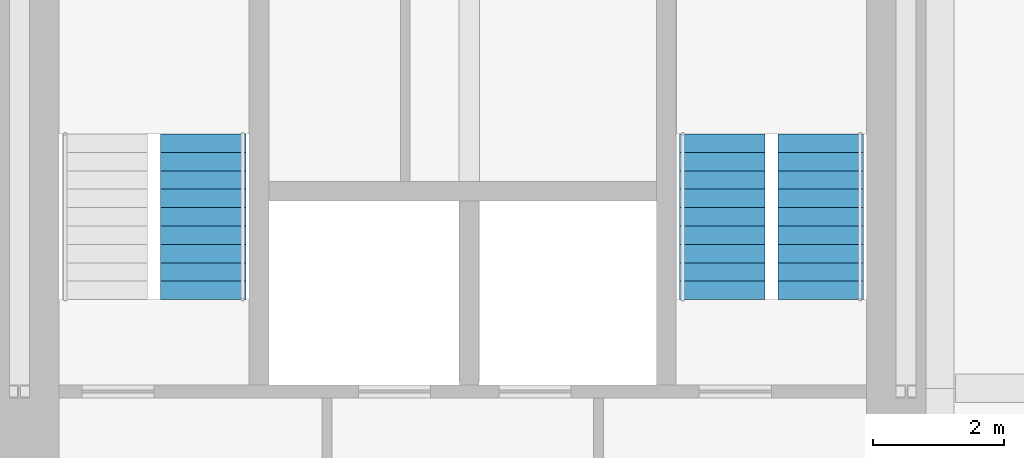
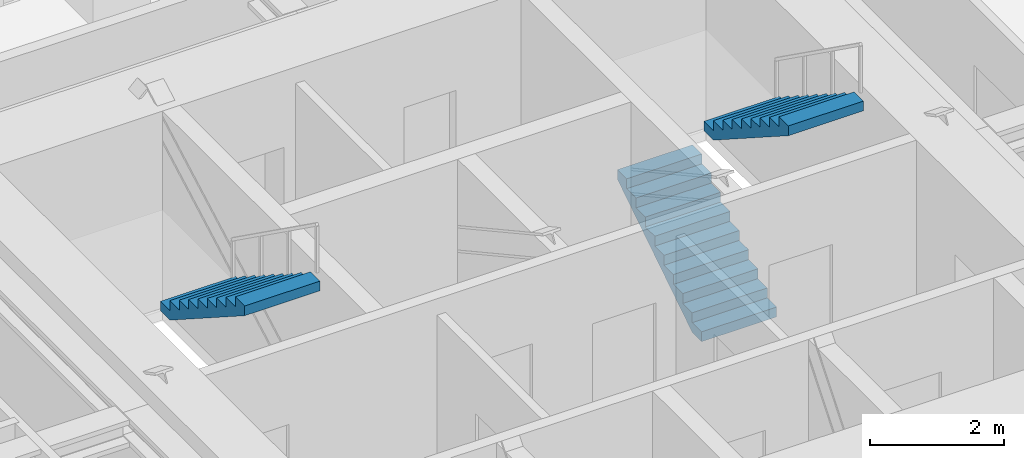
# One storey, part 7 of 8: 3 stair flights, 2 elements without a shape of their own.
"""IFC4 building model written with IfcOpenShell, lengths in metres."""

from ifc_helpers import new_model, si_unit, direction, frame, origin, place, context, subcontext, project, spatial, polyline, outline, extrude, material, type_object, element, aggregate, save


model = new_model("IFC4")

# Units and contexts
model_context = context("Model", 3, precision=1e-05, world=origin(), true_north=direction((0.0, 1.0)))
body_context = subcontext(model_context, "Body", "Model", "MODEL_VIEW")
ifc_project = project(units=[si_unit("LENGTHUNIT", "METRE"), si_unit("AREAUNIT", "SQUARE_METRE"), si_unit("VOLUMEUNIT", "CUBIC_METRE"), si_unit("PLANEANGLEUNIT", "RADIAN"), si_unit("MASSUNIT", "GRAM", prefix="KILO")], contexts=[model_context])

# Site, building, storey
site_placement = place(None, origin())
site = spatial("IfcSite", under=ifc_project, at=site_placement, CompositionType="ELEMENT")
building_placement = place(site_placement, origin())
building = spatial("IfcBuilding", under=site, at=building_placement, Name="Nyansa Garden Tower", CompositionType="ELEMENT")
storey_placement = place(building_placement, frame((0.0, 0.0, 251.10009765625)))
storey = spatial("IfcBuildingStorey", under=building, at=storey_placement, Name="L68", CompositionType="ELEMENT", Elevation=251.10009765625)

# Stair, stair flight
ifc_material_1 = material(Name="Precast concrete C40/50", Category="concrete")
stair_type_1 = type_object("IfcStairType", Name="Stair S1 180x280", PredefinedType="HALF_TURN_STAIR", material=ifc_material_1)
stair_1_placement = place(storey_placement, origin())
stair_1 = element("IfcStair", 1, at=stair_1_placement, inside=storey, type_object=stair_type_1, Name="Stair S1 L68", PredefinedType="HALF_TURN_STAIR")
ifc_material_2 = material(Name="Precast concrete C40/50", Category="concrete")
stair_flight_type_1 = type_object("IfcStairFlightType", Name="Stair flight S1 180x280x10", PredefinedType="STRAIGHT", material=ifc_material_2)
stair_flight_1_placement = place(storey_placement, frame((16.300048828125, 24.1201171875, 1.7998046875), z_axis=(0.0, 0.0, 1.0), x_axis=(0.0, -1.0, 0.0)))
stair_flight_1 = element("IfcStairFlight", 2, at=stair_flight_1_placement, type_object=stair_flight_type_1, Name="S1 flight 2", NumberOfRisers=10, NumberOfTreads=9, PredefinedType="STRAIGHT", RiserHeight=0.18, TreadLength=0.28, context=body_context, shape_type="SweptSolid", body=[
    extrude(outline(polyline([(0.0, 0.0), (0.0, 0.179931640625), (0.280029296875, 0.179931640625), (0.280029296875, 0.360107421875), (0.56005859375, 0.360107421875), (0.56005859375, 0.5400390625), (0.840087890625, 0.5400390625), (0.840087890625, 0.719970703125), (1.1201171875, 0.719970703125), (1.1201171875, 0.89990234375), (1.39990234375, 0.89990234375), (1.39990234375, 1.080078125), (1.679931640625, 1.080078125), (1.679931640625, 1.260009765625), (1.9599609375, 1.260009765625), (1.9599609375, 1.43994140625), (2.239990234375, 1.43994140625), (2.239990234375, 1.6201171875), (2.52001953125, 1.6201171875), (2.52001953125, 1.800048828125), (2.52001953125, 1.44189453125), (0.277099609375, 0.0), (0.0, 0.0)])), frame((0.0, 0.64990234375, 0.0), z_axis=(0.0, -1.0, 0.0), x_axis=(1.0, 0.0, 0.0)), (0.0, 0.0, 1.0), 1.300048828125),
])
aggregate(stair_1, [stair_flight_1])

# Stair, stair flights
ifc_material_3 = material(Name="Precast concrete C40/50", Category="concrete")
stair_type_2 = type_object("IfcStairType", Name="Stair S2 180x280", PredefinedType="HALF_TURN_STAIR", material=ifc_material_3)
stair_2_placement = place(storey_placement, origin())
stair_2 = element("IfcStair", 3, at=stair_2_placement, inside=storey, type_object=stair_type_2, Name="Stair S2 L68", PredefinedType="HALF_TURN_STAIR")
ifc_material_4 = material(Name="Precast concrete C40/50", Category="concrete")
stair_flight_type_2 = type_object("IfcStairFlightType", Name="Stair flight S2 180x280x10", PredefinedType="STRAIGHT", material=ifc_material_4)
stair_flight_2_placement = place(storey_placement, frame((24.199951171875, 21.60009765625, 0.0), z_axis=(0.0, 0.0, 1.0), x_axis=(0.0, 1.0, 0.0)))
stair_flight_2 = element("IfcStairFlight", 4, at=stair_flight_2_placement, type_object=stair_flight_type_2, Name="S2 flight 1", NumberOfRisers=10, NumberOfTreads=9, PredefinedType="STRAIGHT", RiserHeight=0.18, TreadLength=0.28, context=body_context, shape_type="SweptSolid", body=[
    extrude(outline(polyline([(0.0, 0.0), (0.0, 0.179931640625), (0.280029296875, 0.179931640625), (0.280029296875, 0.360107421875), (0.56005859375, 0.360107421875), (0.56005859375, 0.5400390625), (0.840087890625, 0.5400390625), (0.840087890625, 0.719970703125), (1.1201171875, 0.719970703125), (1.1201171875, 0.89990234375), (1.39990234375, 0.89990234375), (1.39990234375, 1.080078125), (1.679931640625, 1.080078125), (1.679931640625, 1.260009765625), (1.9599609375, 1.260009765625), (1.9599609375, 1.43994140625), (2.239990234375, 1.43994140625), (2.239990234375, 1.6201171875), (2.52001953125, 1.6201171875), (2.52001953125, 1.800048828125), (2.52001953125, 1.44189453125), (0.277099609375, 0.0), (0.0, 0.0)])), frame((0.0, 0.64990234375, 0.0), z_axis=(0.0, -1.0, 0.0), x_axis=(1.0, 0.0, 0.0)), (0.0, 0.0, 1.0), 1.300048828125),
])
stair_flight_3_placement = place(storey_placement, frame((25.699951171875, 24.1201171875, 1.7998046875), z_axis=(0.0, 0.0, 1.0), x_axis=(0.0, -1.0, 0.0)))
stair_flight_3 = element("IfcStairFlight", 5, at=stair_flight_3_placement, type_object=stair_flight_type_2, Name="S2 flight 2", NumberOfRisers=10, NumberOfTreads=9, PredefinedType="STRAIGHT", RiserHeight=0.18, TreadLength=0.28, context=body_context, shape_type="SweptSolid", body=[
    extrude(outline(polyline([(0.0, 0.0), (0.0, 0.179931640625), (0.280029296875, 0.179931640625), (0.280029296875, 0.360107421875), (0.56005859375, 0.360107421875), (0.56005859375, 0.5400390625), (0.840087890625, 0.5400390625), (0.840087890625, 0.719970703125), (1.1201171875, 0.719970703125), (1.1201171875, 0.89990234375), (1.39990234375, 0.89990234375), (1.39990234375, 1.080078125), (1.679931640625, 1.080078125), (1.679931640625, 1.260009765625), (1.9599609375, 1.260009765625), (1.9599609375, 1.43994140625), (2.239990234375, 1.43994140625), (2.239990234375, 1.6201171875), (2.52001953125, 1.6201171875), (2.52001953125, 1.800048828125), (2.52001953125, 1.44189453125), (0.277099609375, 0.0), (0.0, 0.0)])), frame((0.0, 0.64990234375, 0.0), z_axis=(0.0, -1.0, 0.0), x_axis=(1.0, 0.0, 0.0)), (0.0, 0.0, 1.0), 1.300048828125),
])
aggregate(stair_2, [stair_flight_2, stair_flight_3])

save(model, "model.ifc")
